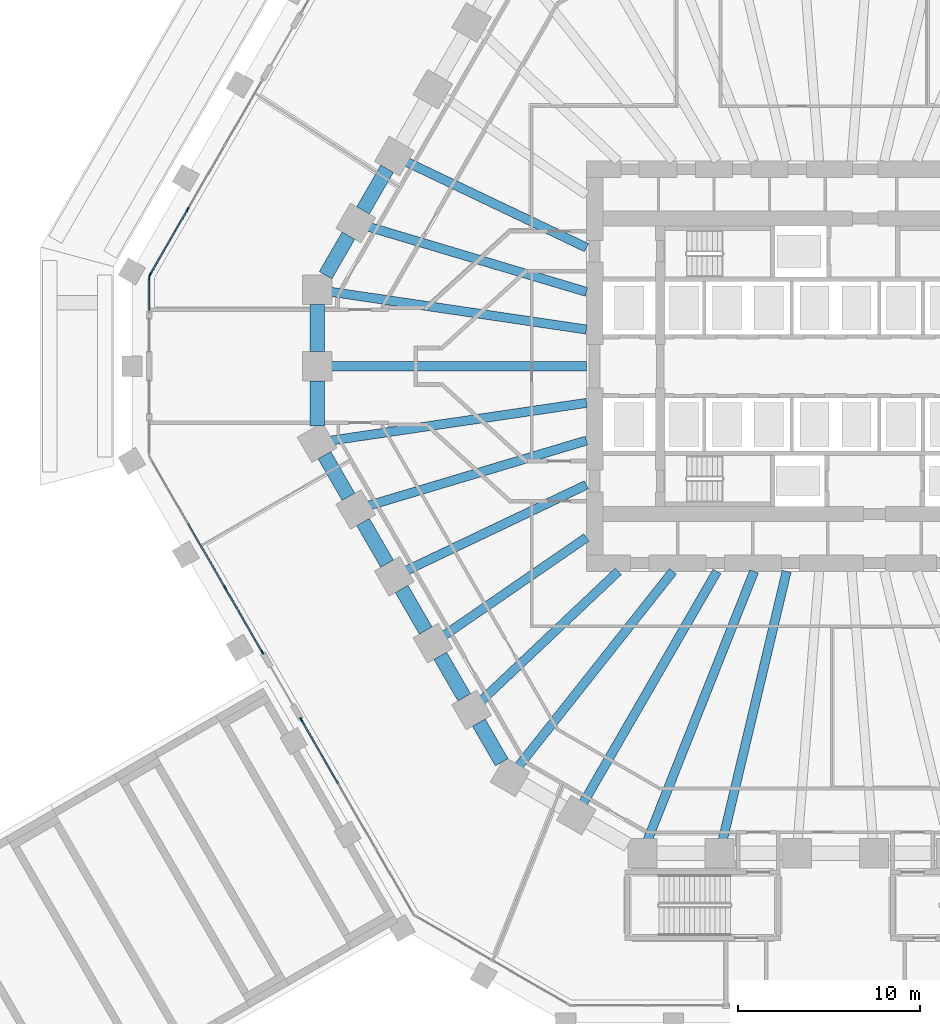
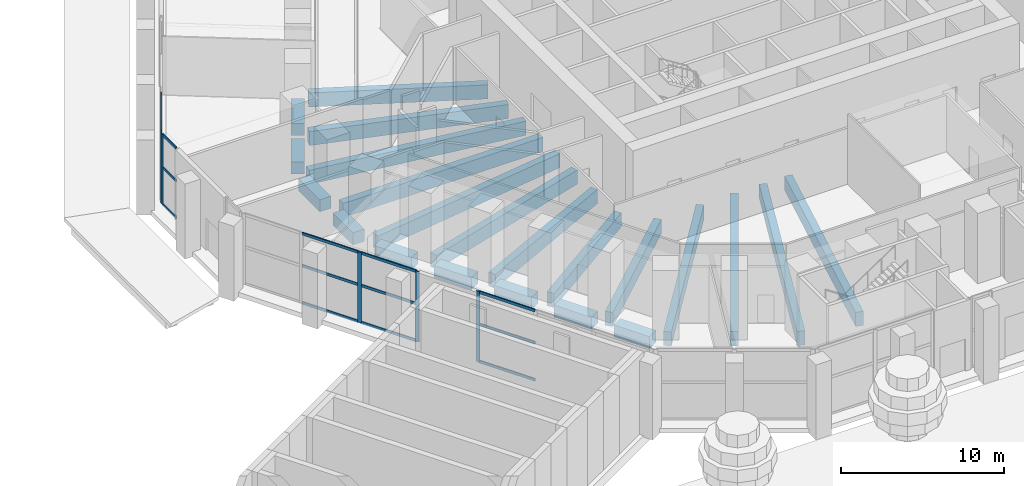
# One storey, part 5 of 44: 22 beams, 21 members, 4 elements without a shape of their own.
"""IFC4 building model written with IfcOpenShell, lengths in metres."""

from ifc_helpers import new_model, si_unit, direction, frame, origin, origin_2d, place, context, subcontext, project, spatial, rectangle, extrude, material, material_profile, profile_set, type_object, element, aggregate, save


model = new_model("IFC4")

# Units and contexts
model_context = context("Model", 3, precision=1e-05, world=origin(), true_north=direction((0.0, 1.0)))
body_context = subcontext(model_context, "Body", "Model", "MODEL_VIEW")
ifc_project = project(units=[si_unit("LENGTHUNIT", "METRE"), si_unit("AREAUNIT", "SQUARE_METRE"), si_unit("VOLUMEUNIT", "CUBIC_METRE"), si_unit("PLANEANGLEUNIT", "RADIAN"), si_unit("MASSUNIT", "GRAM", prefix="KILO")], contexts=[model_context])

# Site, building, storey
site_placement = place(None, origin())
site = spatial("IfcSite", under=ifc_project, at=site_placement, CompositionType="ELEMENT")
building_placement = place(site_placement, origin())
building = spatial("IfcBuilding", under=site, at=building_placement, Name="Frailejon Research Tower", CompositionType="ELEMENT")
storey_placement = place(building_placement, origin())
storey = spatial("IfcBuildingStorey", under=building, at=storey_placement, Name="L00", CompositionType="ELEMENT", Elevation=0.0)

# Beams
ifc_material_1 = material(Name="Concrete C60/75", Category="concrete")
ifc_material_profile_1 = material_profile(ifc_material_1, rectangle(XDim=0.5, YDim=1.050048828125, at=origin_2d()), Name="Girder 500x1050")
ifc_profile_set_1 = profile_set([ifc_material_profile_1], Name="Concrete C60/75")
beam_type_1 = type_object("IfcBeamType", Name="Girder 500x1050", PredefinedType="BEAM", material=ifc_profile_set_1)
beam_1_placement = place(storey_placement, frame((-23.591796875, 11.23681640625, -0.875), z_axis=(0.902829780982, -0.429998123917, 0.0), x_axis=(0.429998123917, 0.902829780982, 0.0)))
element("IfcBeam", 1, at=beam_1_placement, inside=storey, type_object=beam_type_1, Name="Girder 500x1050", PredefinedType="BEAM", context=body_context, shape_type="SweptSolid", body=[
    extrude(rectangle(XDim=0.5, YDim=1.050048828125, at=origin_2d()), origin(), (0.0, 0.0, 1.0), 11.011962890625),
])
beam_2_placement = place(storey_placement, frame((-25.652587890625, 7.66015625, -0.875), z_axis=(0.958189747387, -0.286133549242, 0.0), x_axis=(0.286133549242, 0.958189747387, 0.0)))
element("IfcBeam", 2, at=beam_2_placement, inside=storey, type_object=beam_type_1, Name="Girder 500x1050", PredefinedType="BEAM", context=body_context, shape_type="SweptSolid", body=[
    extrude(rectangle(XDim=0.5, YDim=1.050048828125, at=origin_2d()), origin(), (0.0, 0.0, 1.0), 12.5263671875),
])
beam_3_placement = place(storey_placement, frame((-27.76123046875, 4.091552734375, -0.875), z_axis=(0.989312272049, -0.145812305287, 0.0), x_axis=(0.145812305287, 0.989312272049, 0.0)))
element("IfcBeam", 3, at=beam_3_placement, inside=storey, type_object=beam_type_1, Name="Girder 500x1050", PredefinedType="BEAM", context=body_context, shape_type="SweptSolid", body=[
    extrude(rectangle(XDim=0.5, YDim=1.050048828125, at=origin_2d()), origin(), (0.0, 0.0, 1.0), 14.263671875),
])
beam_4_placement = place(storey_placement, frame((-27.7626953125, 0.0, -0.875), z_axis=(1.0, 0.0, 0.0), x_axis=(0.0, 1.0, 0.0)))
element("IfcBeam", 4, at=beam_4_placement, inside=storey, type_object=beam_type_1, Name="Girder 500x1050", PredefinedType="BEAM", context=body_context, shape_type="SweptSolid", body=[
    extrude(rectangle(XDim=0.5, YDim=1.050048828125, at=origin_2d()), origin(), (0.0, 0.0, 1.0), 14.11279296875),
])
beam_5_placement = place(storey_placement, frame((-27.7099609375, -4.083984375, -0.875), z_axis=(0.989312392522, 0.145811487893, 0.0), x_axis=(-0.145811487893, 0.989312392522, 0.0)))
element("IfcBeam", 5, at=beam_5_placement, inside=storey, type_object=beam_type_1, Name="Girder 500x1050", PredefinedType="BEAM", context=body_context, shape_type="SweptSolid", body=[
    extrude(rectangle(XDim=0.5, YDim=1.050048828125, at=origin_2d()), origin(), (0.0, 0.0, 1.0), 14.2119140625),
])
beam_6_placement = place(storey_placement, frame((-25.652587890625, -7.66015625, -0.875), z_axis=(0.958189747387, 0.286133549242, 0.0), x_axis=(-0.286133549242, 0.958189747387, 0.0)))
element("IfcBeam", 6, at=beam_6_placement, inside=storey, type_object=beam_type_1, Name="Girder 500x1050", PredefinedType="BEAM", context=body_context, shape_type="SweptSolid", body=[
    extrude(rectangle(XDim=0.5, YDim=1.050048828125, at=origin_2d()), origin(), (0.0, 0.0, 1.0), 12.5263671875),
])
beam_7_placement = place(storey_placement, frame((-23.591796875, -11.23681640625, -0.875), z_axis=(0.902829780982, 0.429998123917, 0.0), x_axis=(-0.429998123917, 0.902829780982, 0.0)))
element("IfcBeam", 7, at=beam_7_placement, inside=storey, type_object=beam_type_1, Name="Girder 500x1050", PredefinedType="BEAM", context=body_context, shape_type="SweptSolid", body=[
    extrude(rectangle(XDim=0.5, YDim=1.050048828125, at=origin_2d()), origin(), (0.0, 0.0, 1.0), 11.011962890625),
])
beam_8_placement = place(storey_placement, frame((-21.52734375, -14.8125, -0.875), z_axis=(0.823825821578, 0.566843025626, 0.0), x_axis=(-0.566843025626, 0.823825821578, 0.0)))
element("IfcBeam", 8, at=beam_8_placement, inside=storey, type_object=beam_type_1, Name="Girder 500x1050", PredefinedType="BEAM", context=body_context, shape_type="SweptSolid", body=[
    extrude(rectangle(XDim=0.5, YDim=1.050048828125, at=origin_2d()), origin(), (0.0, 0.0, 1.0), 9.56201171875),
])
beam_9_placement = place(storey_placement, frame((-19.460205078125, -18.3857421875, -0.875), z_axis=(0.72688803019, 0.686755991285, 0.0), x_axis=(-0.686755991285, 0.72688803019, 0.0)))
element("IfcBeam", 9, at=beam_9_placement, inside=storey, type_object=beam_type_1, Name="Girder 500x1050", PredefinedType="BEAM", context=body_context, shape_type="SweptSolid", body=[
    extrude(rectangle(XDim=0.5, YDim=1.050048828125, at=origin_2d()), origin(), (0.0, 0.0, 1.0), 10.390625),
])
beam_10_placement = place(storey_placement, frame((-17.423828125, -21.99609375, -0.875), z_axis=(0.62092187156, 0.783872457367, 0.0), x_axis=(-0.783872457367, 0.62092187156, 0.0)))
element("IfcBeam", 10, at=beam_10_placement, inside=storey, type_object=beam_type_1, Name="Girder 500x1050", PredefinedType="BEAM", context=body_context, shape_type="SweptSolid", body=[
    extrude(rectangle(XDim=0.5, YDim=1.050048828125, at=origin_2d()), origin(), (0.0, 0.0, 1.0), 13.708984375),
])
beam_11_placement = place(storey_placement, frame((-13.88134765625, -24.043212890625, -0.875), z_axis=(0.500003328639, 0.866023481986, 0.0), x_axis=(-0.866023481986, 0.500003328639, 0.0)))
element("IfcBeam", 11, at=beam_11_placement, inside=storey, type_object=beam_type_1, Name="Girder 500x1050", PredefinedType="BEAM", context=body_context, shape_type="SweptSolid", body=[
    extrude(rectangle(XDim=0.5, YDim=1.050048828125, at=origin_2d()), origin(), (0.0, 0.0, 1.0), 14.7724609375),
])
beam_12_placement = place(storey_placement, frame((-10.318115234375, -26.03955078125, -0.875), z_axis=(0.368382887996, 0.929674162183, 0.0), x_axis=(-0.929674162183, 0.368382887996, 0.0)))
element("IfcBeam", 12, at=beam_12_placement, inside=storey, type_object=beam_type_1, Name="Girder 500x1050", PredefinedType="BEAM", context=body_context, shape_type="SweptSolid", body=[
    extrude(rectangle(XDim=0.5, YDim=1.050048828125, at=origin_2d()), origin(), (0.0, 0.0, 1.0), 15.908203125),
])
beam_13_placement = place(storey_placement, frame((-6.1923828125, -26.0458984375, -0.875), z_axis=(0.23129352639, 0.972884013976, 0.0), x_axis=(-0.972884013976, 0.23129352639, 0.0)))
element("IfcBeam", 13, at=beam_13_placement, inside=storey, type_object=beam_type_1, Name="Girder 500x1050", PredefinedType="BEAM", context=body_context, shape_type="SweptSolid", body=[
    extrude(rectangle(XDim=0.5, YDim=1.050048828125, at=origin_2d()), origin(), (0.0, 0.0, 1.0), 15.208251953125),
])

# Curtain wall, members
ifc_material_2 = material(Name="Aluminium curtain wall", Category="aluminium")
curtain_wall_type = type_object("IfcCurtainWallType", Name="Lobby atrium curtain wall system", PredefinedType="NOTDEFINED", material=ifc_material_2)
curtain_wall_1_placement = place(storey_placement, origin())
curtain_wall_1 = element("IfcCurtainWall", 14, at=curtain_wall_1_placement, inside=storey, type_object=curtain_wall_type, Name="Curtain wall L00", PredefinedType="NOTDEFINED")
ifc_material_3 = material(Name="Aluminium extrusion", Category="aluminium")
ifc_material_profile_2 = material_profile(ifc_material_3, rectangle(XDim=0.080078125, YDim=0.25, at=origin_2d()), Name="Lobby atrium curtain wall mullion 80x250")
ifc_profile_set_2 = profile_set([ifc_material_profile_2], Name="Aluminium extrusion")
member_type_1 = type_object("IfcMemberType", Name="Lobby atrium curtain wall mullion 80x250", PredefinedType="MULLION", material=ifc_profile_set_2)
member_1_placement = place(storey_placement, frame((-35.51416015625, 8.587646484375, 0.0), z_axis=(0.0, 0.0, 1.0), x_axis=(0.866025541081, -0.499999762196, 0.0)))
member_1 = element("IfcMember", 15, at=member_1_placement, type_object=member_type_1, Name="CW1-010 mullion 3", PredefinedType="MULLION", context=body_context, shape_type="SweptSolid", body=[
    extrude(rectangle(XDim=0.080078125, YDim=0.25, at=origin_2d()), origin(), (0.0, 0.0, 1.0), 5.25),
])
member_2_placement = place(storey_placement, frame((-37.54931640625, 5.062744140625, 0.0), z_axis=(0.0, 0.0, 1.0), x_axis=(0.866025541081, -0.499999762196, 0.0)))
member_2 = element("IfcMember", 16, at=member_2_placement, type_object=member_type_1, Name="CW1-010 mullion 4", PredefinedType="MULLION", context=body_context, shape_type="SweptSolid", body=[
    extrude(rectangle(XDim=0.080078125, YDim=0.25, at=origin_2d()), origin(), (0.0, 0.0, 1.0), 5.25),
])

# Curtain wall, member
curtain_wall_2_placement = place(storey_placement, origin())
curtain_wall_2 = element("IfcCurtainWall", 17, at=curtain_wall_2_placement, inside=storey, type_object=curtain_wall_type, Name="Curtain wall L00", PredefinedType="NOTDEFINED")
member_3_placement = place(storey_placement, frame((-37.619140625, 4.801513671875, 0.0), z_axis=(0.0, 0.0, 1.0), x_axis=(1.0, 0.0, 0.0)))
member_3 = element("IfcMember", 18, at=member_3_placement, type_object=member_type_1, Name="CW1-011 mullion 1", PredefinedType="MULLION", context=body_context, shape_type="SweptSolid", body=[
    extrude(rectangle(XDim=0.080078125, YDim=0.25, at=origin_2d()), origin(), (0.0, 0.0, 1.0), 5.25),
])

# Curtain wall, members
curtain_wall_3_placement = place(storey_placement, origin())
curtain_wall_3 = element("IfcCurtainWall", 19, at=curtain_wall_3_placement, inside=storey, type_object=curtain_wall_type, Name="Curtain wall L00", PredefinedType="NOTDEFINED")
member_4_placement = place(storey_placement, frame((-33.459228515625, -12.14697265625, 0.0), z_axis=(0.0, 0.0, 1.0), x_axis=(0.866025541081, 0.499999762196, 0.0)))
member_4 = element("IfcMember", 20, at=member_4_placement, type_object=member_type_1, Name="CW1-013 mullion 3", PredefinedType="MULLION", context=body_context, shape_type="SweptSolid", body=[
    extrude(rectangle(XDim=0.080078125, YDim=0.25, at=origin_2d()), origin(), (0.0, 0.0, 1.0), 5.25),
])
member_5_placement = place(storey_placement, frame((-31.42431640625, -15.671630859375, 0.0), z_axis=(0.0, 0.0, 1.0), x_axis=(0.866025541081, 0.499999762196, 0.0)))
member_5 = element("IfcMember", 21, at=member_5_placement, type_object=member_type_1, Name="CW1-013 mullion 4", PredefinedType="MULLION", context=body_context, shape_type="SweptSolid", body=[
    extrude(rectangle(XDim=0.080078125, YDim=0.25, at=origin_2d()), origin(), (0.0, 0.0, 1.0), 5.25),
])

# Curtain wall, member
curtain_wall_4_placement = place(storey_placement, origin())
curtain_wall_4 = element("IfcCurtainWall", 22, at=curtain_wall_4_placement, inside=storey, type_object=curtain_wall_type, Name="Curtain wall L00", PredefinedType="NOTDEFINED")
member_6_placement = place(storey_placement, frame((-29.2841796875, -19.37841796875, 0.0), z_axis=(0.0, 0.0, 1.0), x_axis=(0.866025541081, 0.499999762196, 0.0)))
member_6 = element("IfcMember", 23, at=member_6_placement, type_object=member_type_1, Name="CW1-014 mullion 1", PredefinedType="MULLION", context=body_context, shape_type="SweptSolid", body=[
    extrude(rectangle(XDim=0.080078125, YDim=0.25, at=origin_2d()), origin(), (0.0, 0.0, 1.0), 5.25),
])

# Member
ifc_material_4 = material(Name="Aluminium extrusion", Category="aluminium")
ifc_material_profile_3 = material_profile(ifc_material_4, rectangle(XDim=0.080078125, YDim=0.199951171875, at=origin_2d()), Name="Lobby atrium curtain wall transom 80x200")
ifc_profile_set_3 = profile_set([ifc_material_profile_3], Name="Aluminium extrusion")
member_type_2 = type_object("IfcMemberType", Name="Lobby atrium curtain wall transom 80x200", PredefinedType="USERDEFINED", material=ifc_profile_set_3)
member_7_placement = place(storey_placement, frame((-35.5341796875, 8.552978515625, 0.0400390625), z_axis=(-0.500008456887, -0.866020521143, 0.0), x_axis=(0.866020521143, -0.500008456887, 0.0)))
member_7 = element("IfcMember", 24, at=member_7_placement, type_object=member_type_2, Name="CW1-010 transom 3.1", ObjectType="TRANSOM", PredefinedType="USERDEFINED", context=body_context, shape_type="SweptSolid", body=[
    extrude(rectangle(XDim=0.080078125, YDim=0.199951171875, at=origin_2d()), origin(), (0.0, 0.0, 1.0), 3.990234375),
])

member_8_placement = place(storey_placement, frame((-35.5341796875, 8.552978515625, 2.800048828125), z_axis=(-0.500008456887, -0.866020521143, 0.0), x_axis=(0.866020521143, -0.500008456887, 0.0)))
member_8 = element("IfcMember", 25, at=member_8_placement, type_object=member_type_2, Name="CW1-010 transom 3.2", ObjectType="TRANSOM", PredefinedType="USERDEFINED", context=body_context, shape_type="SweptSolid", body=[
    extrude(rectangle(XDim=0.080078125, YDim=0.199951171875, at=origin_2d()), origin(), (0.0, 0.0, 1.0), 3.990234375),
])

member_9_placement = place(storey_placement, frame((-35.5341796875, 8.552978515625, 5.2099609375), z_axis=(-0.500008456887, -0.866020521143, 0.0), x_axis=(0.866020521143, -0.500008456887, 0.0)))
member_9 = element("IfcMember", 26, at=member_9_placement, type_object=member_type_2, Name="CW1-010 transom 3.3", ObjectType="TRANSOM", PredefinedType="USERDEFINED", context=body_context, shape_type="SweptSolid", body=[
    extrude(rectangle(XDim=0.080078125, YDim=0.199951171875, at=origin_2d()), origin(), (0.0, 0.0, 1.0), 3.990234375),
])

aggregate(curtain_wall_1, [member_1, member_2, member_7, member_8, member_9])

member_10_placement = place(storey_placement, frame((-37.619140625, 4.76171875, 0.0400390625), z_axis=(0.0, -1.0, 0.0), x_axis=(1.0, 0.0, 0.0)))
member_10 = element("IfcMember", 27, at=member_10_placement, type_object=member_type_2, Name="CW1-011 transom 1.1", ObjectType="TRANSOM", PredefinedType="USERDEFINED", context=body_context, shape_type="SweptSolid", body=[
    extrude(rectangle(XDim=0.080078125, YDim=0.199951171875, at=origin_2d()), origin(), (0.0, 0.0, 1.0), 1.681640625),
])

member_11_placement = place(storey_placement, frame((-37.619140625, 4.76171875, 2.800048828125), z_axis=(0.0, -1.0, 0.0), x_axis=(1.0, 0.0, 0.0)))
member_11 = element("IfcMember", 28, at=member_11_placement, type_object=member_type_2, Name="CW1-011 transom 1.2", ObjectType="TRANSOM", PredefinedType="USERDEFINED", context=body_context, shape_type="SweptSolid", body=[
    extrude(rectangle(XDim=0.080078125, YDim=0.199951171875, at=origin_2d()), origin(), (0.0, 0.0, 1.0), 1.681640625),
])

member_12_placement = place(storey_placement, frame((-37.619140625, 4.76171875, 5.2099609375), z_axis=(0.0, -1.0, 0.0), x_axis=(1.0, 0.0, 0.0)))
member_12 = element("IfcMember", 29, at=member_12_placement, type_object=member_type_2, Name="CW1-011 transom 1.3", ObjectType="TRANSOM", PredefinedType="USERDEFINED", context=body_context, shape_type="SweptSolid", body=[
    extrude(rectangle(XDim=0.080078125, YDim=0.199951171875, at=origin_2d()), origin(), (0.0, 0.0, 1.0), 1.681640625),
])

aggregate(curtain_wall_2, [member_3, member_10, member_11, member_12])

member_13_placement = place(storey_placement, frame((-35.494140625, -8.622314453125, 0.0400390625), z_axis=(0.499989908473, -0.866031230052, 0.0), x_axis=(0.866031230052, 0.499989908473, 0.0)))
member_13 = element("IfcMember", 30, at=member_13_placement, type_object=member_type_2, Name="CW1-013 transom 2.1", ObjectType="TRANSOM", PredefinedType="USERDEFINED", context=body_context, shape_type="SweptSolid", body=[
    extrude(rectangle(XDim=0.080078125, YDim=0.199951171875, at=origin_2d()), origin(), (0.0, 0.0, 1.0), 4.02978515625),
])

member_14_placement = place(storey_placement, frame((-35.494140625, -8.622314453125, 2.800048828125), z_axis=(0.499989908473, -0.866031230052, 0.0), x_axis=(0.866031230052, 0.499989908473, 0.0)))
member_14 = element("IfcMember", 31, at=member_14_placement, type_object=member_type_2, Name="CW1-013 transom 2.2", ObjectType="TRANSOM", PredefinedType="USERDEFINED", context=body_context, shape_type="SweptSolid", body=[
    extrude(rectangle(XDim=0.080078125, YDim=0.199951171875, at=origin_2d()), origin(), (0.0, 0.0, 1.0), 4.02978515625),
])

member_15_placement = place(storey_placement, frame((-35.494140625, -8.622314453125, 5.2099609375), z_axis=(0.499989908473, -0.866031230052, 0.0), x_axis=(0.866031230052, 0.499989908473, 0.0)))
member_15 = element("IfcMember", 32, at=member_15_placement, type_object=member_type_2, Name="CW1-013 transom 2.3", ObjectType="TRANSOM", PredefinedType="USERDEFINED", context=body_context, shape_type="SweptSolid", body=[
    extrude(rectangle(XDim=0.080078125, YDim=0.199951171875, at=origin_2d()), origin(), (0.0, 0.0, 1.0), 4.02978515625),
])

member_16_placement = place(storey_placement, frame((-33.439208984375, -12.181640625, 0.0400390625), z_axis=(0.500034952484, -0.866005223018, 0.0), x_axis=(0.866005223018, 0.500034952484, 0.0)))
member_16 = element("IfcMember", 33, at=member_16_placement, type_object=member_type_2, Name="CW1-013 transom 3.1", ObjectType="TRANSOM", PredefinedType="USERDEFINED", context=body_context, shape_type="SweptSolid", body=[
    extrude(rectangle(XDim=0.080078125, YDim=0.199951171875, at=origin_2d()), origin(), (0.0, 0.0, 1.0), 3.989990234375),
])

member_17_placement = place(storey_placement, frame((-33.439208984375, -12.181640625, 2.800048828125), z_axis=(0.500034952484, -0.866005223018, 0.0), x_axis=(0.866005223018, 0.500034952484, 0.0)))
member_17 = element("IfcMember", 34, at=member_17_placement, type_object=member_type_2, Name="CW1-013 transom 3.2", ObjectType="TRANSOM", PredefinedType="USERDEFINED", context=body_context, shape_type="SweptSolid", body=[
    extrude(rectangle(XDim=0.080078125, YDim=0.199951171875, at=origin_2d()), origin(), (0.0, 0.0, 1.0), 3.989990234375),
])

member_18_placement = place(storey_placement, frame((-33.439208984375, -12.181640625, 5.2099609375), z_axis=(0.500034952484, -0.866005223018, 0.0), x_axis=(0.866005223018, 0.500034952484, 0.0)))
member_18 = element("IfcMember", 35, at=member_18_placement, type_object=member_type_2, Name="CW1-013 transom 3.3", ObjectType="TRANSOM", PredefinedType="USERDEFINED", context=body_context, shape_type="SweptSolid", body=[
    extrude(rectangle(XDim=0.080078125, YDim=0.199951171875, at=origin_2d()), origin(), (0.0, 0.0, 1.0), 3.989990234375),
])

aggregate(curtain_wall_3, [member_4, member_5, member_13, member_14, member_15, member_16, member_17, member_18])

member_19_placement = place(storey_placement, frame((-29.26416015625, -19.4130859375, 0.0400390625), z_axis=(0.499989060909, -0.866031719379, 0.0), x_axis=(0.866031719379, 0.499989060909, 0.0)))
member_19 = element("IfcMember", 36, at=member_19_placement, type_object=member_type_2, Name="CW1-014 transom 1.1", ObjectType="TRANSOM", PredefinedType="USERDEFINED", context=body_context, shape_type="SweptSolid", body=[
    extrude(rectangle(XDim=0.080078125, YDim=0.199951171875, at=origin_2d()), origin(), (0.0, 0.0, 1.0), 3.98974609375),
])

member_20_placement = place(storey_placement, frame((-29.26416015625, -19.4130859375, 2.800048828125), z_axis=(0.499989060909, -0.866031719379, 0.0), x_axis=(0.866031719379, 0.499989060909, 0.0)))
member_20 = element("IfcMember", 37, at=member_20_placement, type_object=member_type_2, Name="CW1-014 transom 1.2", ObjectType="TRANSOM", PredefinedType="USERDEFINED", context=body_context, shape_type="SweptSolid", body=[
    extrude(rectangle(XDim=0.080078125, YDim=0.199951171875, at=origin_2d()), origin(), (0.0, 0.0, 1.0), 3.98974609375),
])

member_21_placement = place(storey_placement, frame((-29.26416015625, -19.4130859375, 5.2099609375), z_axis=(0.499989060909, -0.866031719379, 0.0), x_axis=(0.866031719379, 0.499989060909, 0.0)))
member_21 = element("IfcMember", 38, at=member_21_placement, type_object=member_type_2, Name="CW1-014 transom 1.3", ObjectType="TRANSOM", PredefinedType="USERDEFINED", context=body_context, shape_type="SweptSolid", body=[
    extrude(rectangle(XDim=0.080078125, YDim=0.199951171875, at=origin_2d()), origin(), (0.0, 0.0, 1.0), 3.98974609375),
])

aggregate(curtain_wall_4, [member_6, member_19, member_20, member_21])

# Beams
ifc_material_5 = material(Name="Concrete C60/75", Category="concrete")
ifc_material_profile_4 = material_profile(ifc_material_5, rectangle(XDim=0.800048828125, YDim=0.89990234375, at=origin_2d()), Name="Podium ring beam")
ifc_profile_set_4 = profile_set([ifc_material_profile_4], Name="Concrete C60/75")
beam_type_2 = type_object("IfcBeamType", Name="Podium ring beam", PredefinedType="BEAM", material=ifc_profile_set_4)
beam_14_placement = place(storey_placement, frame((-24.580810546875, 10.82470703125, -0.800048828125), z_axis=(-0.499990112884, -0.866031112038, 0.0), x_axis=(0.866031112038, -0.499990112884, 0.0)))
element("IfcBeam", 39, at=beam_14_placement, inside=storey, type_object=beam_type_2, Name="Podium ring beam", PredefinedType="BEAM", context=body_context, shape_type="SweptSolid", body=[
    extrude(rectangle(XDim=0.800048828125, YDim=0.89990234375, at=origin_2d()), origin(), (0.0, 0.0, 1.0), 2.6318359375),
])
beam_15_placement = place(storey_placement, frame((-26.69677734375, 7.15966796875, -0.800048828125), z_axis=(-0.500022970635, -0.866012141276, 0.0), x_axis=(0.866012141276, -0.500022970635, 0.0)))
element("IfcBeam", 40, at=beam_15_placement, inside=storey, type_object=beam_type_2, Name="Podium ring beam", PredefinedType="BEAM", context=body_context, shape_type="SweptSolid", body=[
    extrude(rectangle(XDim=0.800048828125, YDim=0.89990234375, at=origin_2d()), origin(), (0.0, 0.0, 1.0), 2.50830078125),
])
beam_16_placement = place(storey_placement, frame((-28.412841796875, 3.3876953125, -0.800048828125), z_axis=(0.0, -1.0, 0.0), x_axis=(1.0, 0.0, 0.0)))
element("IfcBeam", 41, at=beam_16_placement, inside=storey, type_object=beam_type_2, Name="Podium ring beam", PredefinedType="BEAM", context=body_context, shape_type="SweptSolid", body=[
    extrude(rectangle(XDim=0.800048828125, YDim=0.89990234375, at=origin_2d()), origin(), (0.0, 0.0, 1.0), 2.587646484375),
])
beam_17_placement = place(storey_placement, frame((-28.412841796875, -0.800048828125, -0.800048828125), z_axis=(0.0, -1.0, 0.0), x_axis=(1.0, 0.0, 0.0)))
element("IfcBeam", 42, at=beam_17_placement, inside=storey, type_object=beam_type_2, Name="Podium ring beam", PredefinedType="BEAM", context=body_context, shape_type="SweptSolid", body=[
    extrude(rectangle(XDim=0.800048828125, YDim=0.89990234375, at=origin_2d()), origin(), (0.0, 0.0, 1.0), 2.4638671875),
])
for number, where, z_axis, x_axis, name in (
    (43, (-28.0126953125, -4.88037109375, -0.800048828125), (0.499990112884, -0.866031112038, 0.0), (0.866031112038, 0.499990112884, 0.0), "Podium ring beam"),
    (44, (-25.896728515625, -8.54541015625, -0.800048828125), (0.499990112884, -0.866031112038, 0.0), (0.866031112038, 0.499990112884, 0.0), "Podium ring beam"),
):
    element("IfcBeam", number, at=place(storey_placement, frame(where, z_axis=z_axis, x_axis=x_axis)), inside=storey, type_object=beam_type_2, Name=name, PredefinedType="BEAM", context=body_context, shape_type="SweptSolid", body=[
        extrude(rectangle(XDim=0.800048828125, YDim=0.89990234375, at=origin_2d()), origin(), (0.0, 0.0, 1.0), 2.6318359375),
    ])
beam_18_placement = place(storey_placement, frame((-23.781005859375, -12.210205078125, -0.800048828125), z_axis=(0.500019514865, -0.866014136579, 0.0), x_axis=(0.866014136579, 0.500019514865, 0.0)))
element("IfcBeam", 45, at=beam_18_placement, inside=storey, type_object=beam_type_2, Name="Podium ring beam", PredefinedType="BEAM", context=body_context, shape_type="SweptSolid", body=[
    extrude(rectangle(XDim=0.800048828125, YDim=0.89990234375, at=origin_2d()), origin(), (0.0, 0.0, 1.0), 2.63232421875),
])
beam_19_placement = place(storey_placement, frame((-21.664794921875, -15.875244140625, -0.800048828125), z_axis=(0.499949948743, -0.866054298963, 0.0), x_axis=(0.866054298963, 0.499949948743, 0.0)))
element("IfcBeam", 46, at=beam_19_placement, inside=storey, type_object=beam_type_2, Name="Podium ring beam", PredefinedType="BEAM", context=body_context, shape_type="SweptSolid", body=[
    extrude(rectangle(XDim=0.800048828125, YDim=0.89990234375, at=origin_2d()), origin(), (0.0, 0.0, 1.0), 2.632080078125),
])
beam_20_placement = place(storey_placement, frame((-19.548828125, -19.540283203125, -0.800048828125), z_axis=(0.499949964382, -0.866054289935, 0.0), x_axis=(0.866054289935, 0.499949964382, 0.0)))
element("IfcBeam", 47, at=beam_20_placement, inside=storey, type_object=beam_type_2, Name="Podium ring beam", PredefinedType="BEAM", context=body_context, shape_type="SweptSolid", body=[
    extrude(rectangle(XDim=0.800048828125, YDim=0.89990234375, at=origin_2d()), origin(), (0.0, 0.0, 1.0), 2.508056640625),
])

save(model, "model.ifc")
